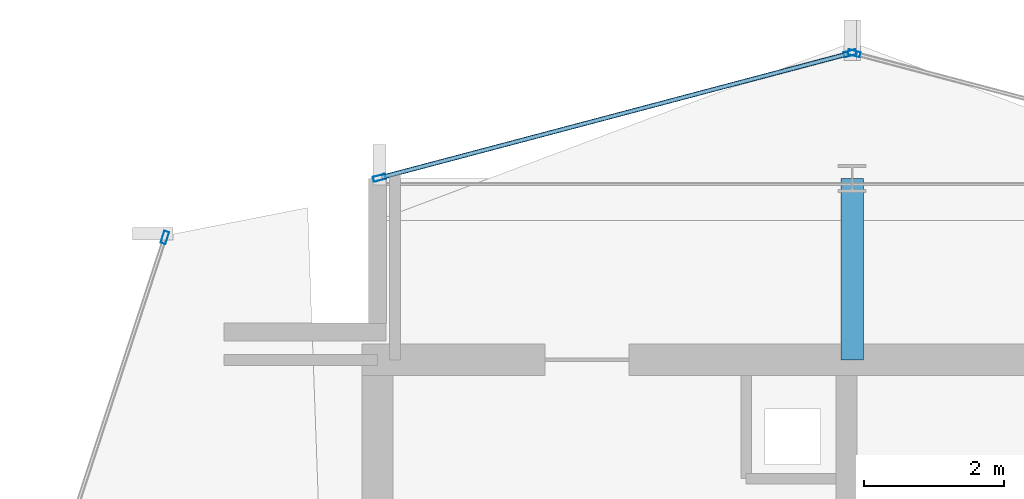
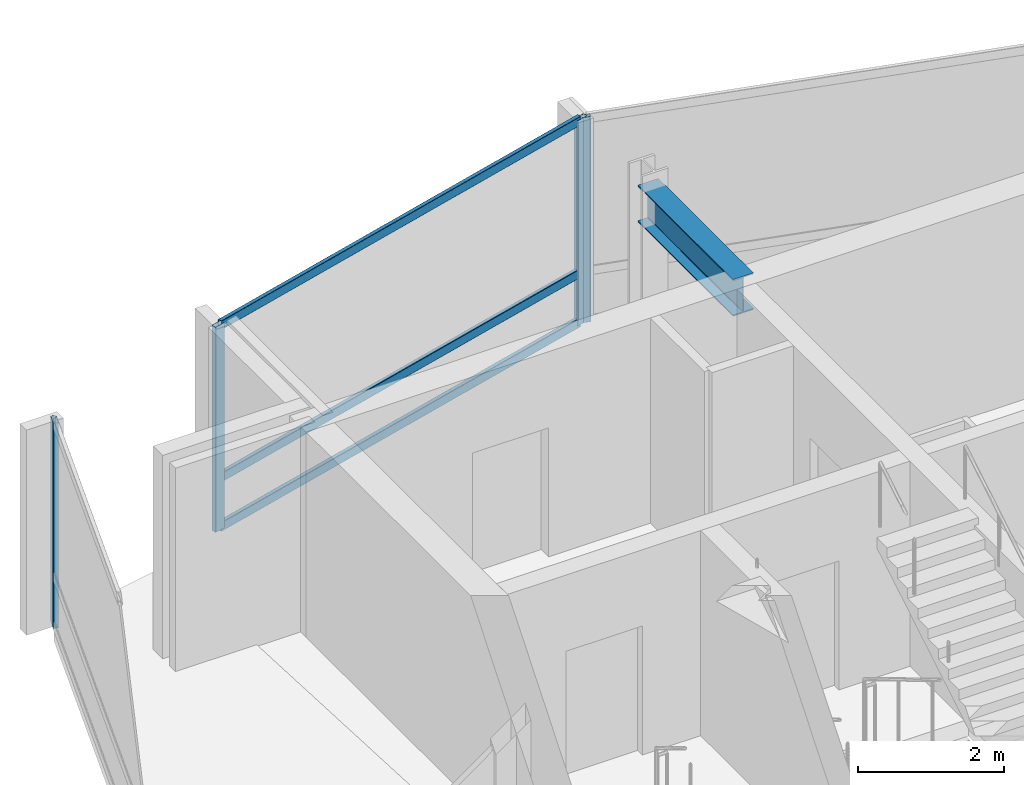
# One storey, part 16 of 27: 7 members, 1 beam, 3 elements without a shape of their own.
"""IFC4 building model written with IfcOpenShell, lengths in metres."""

from ifc_helpers import new_model, si_unit, direction, frame, origin, origin_2d, place, context, subcontext, project, spatial, hollow_rectangle, i_section, extrude, material, layer, layer_set, material_profile, profile_set, type_object, element, aggregate, save


model = new_model("IFC4")

# Units and contexts
model_context = context("Model", 3, precision=1e-05, world=origin(), true_north=direction((0.0, 1.0)))
body_context = subcontext(model_context, "Body", "Model", "MODEL_VIEW")
ifc_project = project(units=[si_unit("LENGTHUNIT", "METRE"), si_unit("AREAUNIT", "SQUARE_METRE"), si_unit("VOLUMEUNIT", "CUBIC_METRE"), si_unit("PLANEANGLEUNIT", "RADIAN"), si_unit("MASSUNIT", "GRAM", prefix="KILO")], contexts=[model_context])

# Site, building, storey
site_placement = place(None, origin())
site = spatial("IfcSite", under=ifc_project, at=site_placement, CompositionType="ELEMENT")
building_placement = place(site_placement, origin())
building = spatial("IfcBuilding", under=site, at=building_placement, Name="Solvaryn Broadcast Tower", CompositionType="ELEMENT")
storey_placement = place(building_placement, frame((0.0, 0.0, 228.39990234375)))
storey = spatial("IfcBuildingStorey", under=building, at=storey_placement, Name="L57", CompositionType="ELEMENT", Elevation=228.39990234375)

# Beam
ifc_material_1 = material(Name="Steel ASTM A992 Grade 50", Category="steel")
ifc_material_profile_1 = material_profile(ifc_material_1, i_section(OverallWidth=0.323974609375, OverallDepth=0.611083984375, WebThickness=0.0126953125, FlangeThickness=0.01904296875, FilletRadius=0.014892578125, at=origin_2d()))
ifc_profile_set_1 = profile_set([ifc_material_profile_1], Name="Steel ASTM A992 Grade 50")
beam_type = type_object("IfcBeamType", Name="BM-B1-W24X104", PredefinedType="BEAM", material=ifc_profile_set_1)
beam_placement = place(storey_placement, frame((18.0, 42.39990234375, 3.114501953125), z_axis=(0.0, 1.0, 0.0), x_axis=(-1.0, 0.0, 0.0)))
element("IfcBeam", 1, at=beam_placement, inside=storey, type_object=beam_type, Name="L57 Core Tie Beam CTW3", PredefinedType="BEAM", context=body_context, shape_type="SweptSolid", body=[
    extrude(i_section(OverallWidth=0.323974609375, OverallDepth=0.611083984375, WebThickness=0.0126953125, FlangeThickness=0.01904296875, FilletRadius=0.014892578125, at=origin_2d()), origin(), (0.0, 0.0, 1.0), 2.60009765625),
])

# Curtain wall, member
ifc_material_2 = material(Name="Aluminium and Terracotta Unitised Curtain Wall", Category="masonry")
ifc_layer = layer(ifc_material_2, 0.199951171875)
ifc_layer_set = layer_set([ifc_layer], Name="CW-SYS2-LOWMID")
curtain_wall_type = type_object("IfcCurtainWallType", Name="CW-SYS2-LOWMID", PredefinedType="NOTDEFINED", material=ifc_layer_set)
curtain_wall_1_placement = place(storey_placement, origin())
curtain_wall_1 = element("IfcCurtainWall", 2, at=curtain_wall_1_placement, inside=storey, type_object=curtain_wall_type, Name="L57 Curtain Wall DR1", PredefinedType="NOTDEFINED")
ifc_material_3 = material(Name="Anodised Aluminium 6063-T6", Category="aluminium")
ifc_material_profile_2 = material_profile(ifc_material_3, hollow_rectangle(XDim=0.074951171875, YDim=0.179931640625, WallThickness=0.00390625, InnerFilletRadius=0.00390625, OuterFilletRadius=0.008056640625, at=origin_2d()))
ifc_profile_set_2 = profile_set([ifc_material_profile_2], Name="Anodised Aluminium 6063-T6")
member_type_1 = type_object("IfcMemberType", Name="CW-MUL-180", PredefinedType="MULLION", material=ifc_profile_set_2)
member_1_placement = place(storey_placement, frame((8.153564453125, 44.153564453125, 0.0), z_axis=(0.0, 0.0, 1.0), x_axis=(0.950226902099, -0.311558717623, 0.0)))
member_1 = element("IfcMember", 3, at=member_1_placement, type_object=member_type_1, Name="CWS2 mullion 1", PredefinedType="MULLION", context=body_context, shape_type="SweptSolid", body=[
    extrude(hollow_rectangle(XDim=0.074951171875, YDim=0.179931640625, WallThickness=0.00390625, InnerFilletRadius=0.00390625, OuterFilletRadius=0.008056640625, at=origin_2d()), origin(), (0.0, 0.0, 1.0), 3.420166015625),
])
aggregate(curtain_wall_1, [member_1])

curtain_wall_2_placement = place(storey_placement, origin())
curtain_wall_2 = element("IfcCurtainWall", 4, at=curtain_wall_2_placement, inside=storey, type_object=curtain_wall_type, Name="L57 Curtain Wall NT1", PredefinedType="NOTDEFINED")
member_2_placement = place(storey_placement, frame((18.029052734375, 46.792236328125, 0.0), z_axis=(0.0, 0.0, 1.0), x_axis=(-0.25589256031, -0.966705227863, 0.0)))
member_2 = element("IfcMember", 5, at=member_2_placement, type_object=member_type_1, Name="CWS2 mullion 2", PredefinedType="MULLION", context=body_context, shape_type="SweptSolid", body=[
    extrude(hollow_rectangle(XDim=0.074951171875, YDim=0.179931640625, WallThickness=0.00390625, InnerFilletRadius=0.00390625, OuterFilletRadius=0.008056640625, at=origin_2d()), origin(), (0.0, 0.0, 1.0), 3.420166015625),
])
aggregate(curtain_wall_2, [member_2])

# Curtain wall, members
curtain_wall_3_placement = place(storey_placement, origin())
curtain_wall_3 = element("IfcCurtainWall", 6, at=curtain_wall_3_placement, inside=storey, type_object=curtain_wall_type, Name="L57 Curtain Wall NT2", PredefinedType="NOTDEFINED")
member_3_placement = place(storey_placement, frame((17.970947265625, 46.792236328125, 0.0), z_axis=(0.0, 0.0, 1.0), x_axis=(0.25589256031, -0.966705227863, 0.0)))
member_3 = element("IfcMember", 7, at=member_3_placement, type_object=member_type_1, Name="CWS2 mullion 1", PredefinedType="MULLION", context=body_context, shape_type="SweptSolid", body=[
    extrude(hollow_rectangle(XDim=0.074951171875, YDim=0.179931640625, WallThickness=0.00390625, InnerFilletRadius=0.00390625, OuterFilletRadius=0.008056640625, at=origin_2d()), origin(), (0.0, 0.0, 1.0), 3.420166015625),
])
member_4_placement = place(storey_placement, frame((11.22900390625, 45.007568359375, 0.0), z_axis=(0.0, 0.0, 1.0), x_axis=(0.25589256031, -0.966705227863, 0.0)))
member_4 = element("IfcMember", 8, at=member_4_placement, type_object=member_type_1, Name="CWS2 mullion 2", PredefinedType="MULLION", context=body_context, shape_type="SweptSolid", body=[
    extrude(hollow_rectangle(XDim=0.074951171875, YDim=0.179931640625, WallThickness=0.00390625, InnerFilletRadius=0.00390625, OuterFilletRadius=0.008056640625, at=origin_2d()), origin(), (0.0, 0.0, 1.0), 3.420166015625),
])
ifc_material_4 = material(Name="Anodised Aluminium 6063-T6", Category="aluminium")
ifc_material_profile_3 = material_profile(ifc_material_4, hollow_rectangle(XDim=0.06494140625, YDim=0.14990234375, WallThickness=0.00390625, InnerFilletRadius=0.00390625, OuterFilletRadius=0.008056640625, at=origin_2d()))
ifc_profile_set_3 = profile_set([ifc_material_profile_3], Name="Anodised Aluminium 6063-T6")
member_type_2 = type_object("IfcMemberType", Name="CW-TRN-150", PredefinedType="USERDEFINED", material=ifc_profile_set_3)
member_5_placement = place(storey_placement, frame((17.94189453125, 46.78466796875, 0.030029296875), z_axis=(-0.966703943301, -0.255897413051, 0.0), x_axis=(0.255897413051, -0.966703943301, 0.0)))
member_5 = element("IfcMember", 9, at=member_5_placement, type_object=member_type_2, Name="CWS2 transom 1.1", ObjectType="TRANSOM", PredefinedType="USERDEFINED", context=body_context, shape_type="SweptSolid", body=[
    extrude(hollow_rectangle(XDim=0.06494140625, YDim=0.14990234375, WallThickness=0.00390625, InnerFilletRadius=0.00390625, OuterFilletRadius=0.008056640625, at=origin_2d()), origin(), (0.0, 0.0, 1.0), 6.9140625),
])
member_6_placement = place(storey_placement, frame((17.94189453125, 46.78466796875, 0.85009765625), z_axis=(-0.966703943301, -0.255897413051, 0.0), x_axis=(0.255897413051, -0.966703943301, 0.0)))
member_6 = element("IfcMember", 10, at=member_6_placement, type_object=member_type_2, Name="CWS2 transom 1.2", ObjectType="TRANSOM", PredefinedType="USERDEFINED", context=body_context, shape_type="SweptSolid", body=[
    extrude(hollow_rectangle(XDim=0.06494140625, YDim=0.14990234375, WallThickness=0.00390625, InnerFilletRadius=0.00390625, OuterFilletRadius=0.008056640625, at=origin_2d()), origin(), (0.0, 0.0, 1.0), 6.9140625),
])
member_7_placement = place(storey_placement, frame((17.94189453125, 46.78466796875, 3.39013671875), z_axis=(-0.966703943301, -0.255897413051, 0.0), x_axis=(0.255897413051, -0.966703943301, 0.0)))
member_7 = element("IfcMember", 11, at=member_7_placement, type_object=member_type_2, Name="CWS2 transom 1.3", ObjectType="TRANSOM", PredefinedType="USERDEFINED", context=body_context, shape_type="SweptSolid", body=[
    extrude(hollow_rectangle(XDim=0.06494140625, YDim=0.14990234375, WallThickness=0.00390625, InnerFilletRadius=0.00390625, OuterFilletRadius=0.008056640625, at=origin_2d()), origin(), (0.0, 0.0, 1.0), 6.9140625),
])
aggregate(curtain_wall_3, [member_3, member_4, member_5, member_6, member_7])

save(model, "model.ifc")
